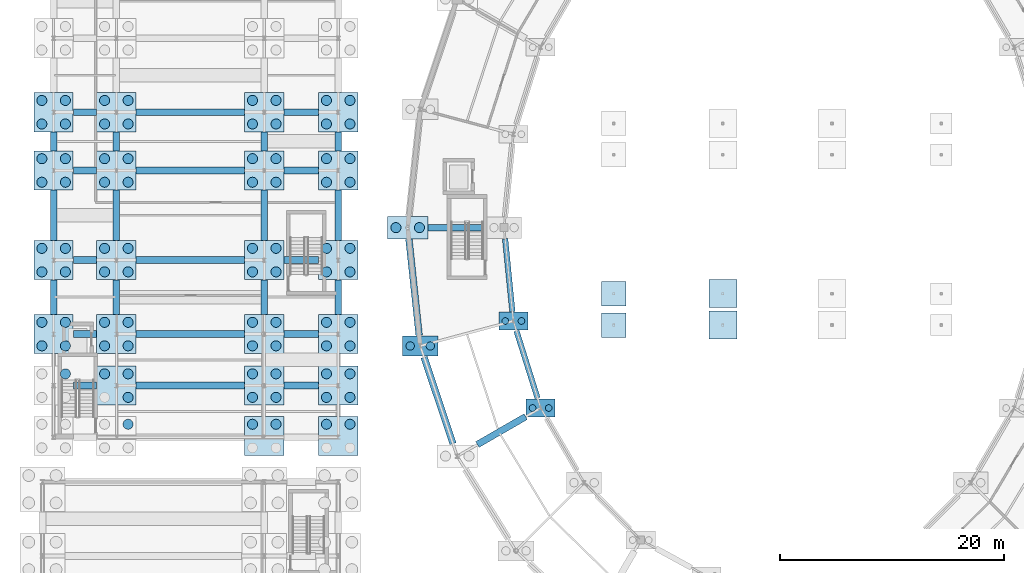
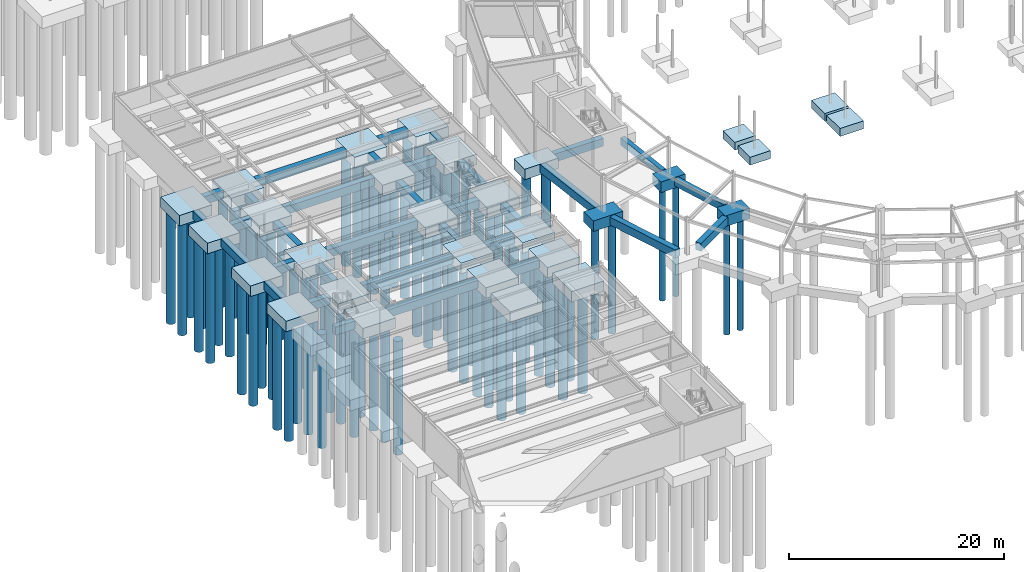
# One storey, part 2 of 58: 89 piles, 62 footings.
"""IFC4 building model written with IfcOpenShell, lengths in metres."""

import ifcopenshell
import ifcopenshell.guid

model = None  # the IFC model being written
_history = None  # IfcOwnerHistory: only IFC2X3 demands one
_inside = {}  # id of a spatial element -> (the spatial element, [elements in it])
_under = {}  # id of a project, library or spatial element -> (it, [spatial elements below it])
_declared = {}  # id of a project -> (the project, [libraries it declares])
_typed = {}  # id of a type object -> (the type object, [elements of that type])
_made_of = {}  # id of a material, layer set ... -> (it, [elements and type objects made of it])


def new_model(schema):
    """Start an empty IFC model of exactly this schema.

    Asked for "IFC4X3", IfcOpenShell would pick the latest addendum, in which some entities
    have other attributes; the version numbers below select the first issue.
    IFC2X3 requires an IfcOwnerHistory on every rooted entity: one is made here for all.
    """
    global model, _history
    if schema == "IFC4X3":
        model = ifcopenshell.file(schema_version=(4, 3, 0, 0))
    else:
        model = ifcopenshell.file(schema=schema)
    _inside.clear()
    _under.clear()
    _declared.clear()
    _typed.clear()
    _made_of.clear()
    _history = None
    if model.schema == "IFC2X3":
        org = make("IfcOrganization", Name="unknown")
        user = make(
            "IfcPersonAndOrganization",
            ThePerson=make("IfcPerson", FamilyName="unknown"),
            TheOrganization=org,
        )
        app = make(
            "IfcApplication",
            ApplicationDeveloper=org,
            Version="unknown",
            ApplicationFullName="unknown",
            ApplicationIdentifier="unknown",
        )
        _history = make(
            "IfcOwnerHistory",
            OwningUser=user,
            OwningApplication=app,
            ChangeAction="ADDED",
            CreationDate=0,
        )
    return model


def make(cls, **values):
    """One entity of the class cls with the attributes given. An attribute that is None is left unset."""
    return model.create_entity(
        cls, **{name: value for name, value in values.items() if value is not None}
    )


def rooted(cls, **values):
    """An entity with a GlobalId (a new one), such as an element, a storey or a relation."""
    return make(cls, GlobalId=ifcopenshell.guid.new(), OwnerHistory=_history, **values)


def si_unit(unit_type, name, prefix=None):
    """IfcSIUnit, for example si_unit("LENGTHUNIT", "METRE", prefix="MILLI")."""
    return make("IfcSIUnit", UnitType=unit_type, Prefix=prefix, Name=name)


def assignment(units):
    """IfcUnitAssignment: the units of a project."""
    return None if units is None else make("IfcUnitAssignment", Units=units)


def point(xyz):
    """IfcCartesianPoint."""
    return None if xyz is None else make("IfcCartesianPoint", Coordinates=xyz)


def direction(xyz):
    """IfcDirection."""
    return None if xyz is None else make("IfcDirection", DirectionRatios=xyz)


def frame(location, z_axis=None, x_axis=None):
    """IfcAxis2Placement3D, a coordinate frame: its origin and axes. An axis left out is left unset."""
    return make(
        "IfcAxis2Placement3D",
        Location=point(location),
        Axis=direction(z_axis),
        RefDirection=direction(x_axis),
    )


def frame_2d(location, x_axis=None):
    """IfcAxis2Placement2D, a coordinate frame in the plane: its origin and x axis."""
    return make(
        "IfcAxis2Placement2D", Location=point(location), RefDirection=direction(x_axis)
    )


def origin():
    """The frame at (0, 0, 0) with its axes left unset."""
    return frame((0.0, 0.0, 0.0))


def origin_2d():
    """The frame at (0, 0) in the plane with its x axis left unset."""
    return frame_2d((0.0, 0.0))


def place(relative_to, where):
    """IfcLocalPlacement: puts the frame where relative to a parent placement (None: the world)."""
    return make(
        "IfcLocalPlacement", PlacementRelTo=relative_to, RelativePlacement=where
    )


def context(
    kind, dimensions, precision=None, world=None, true_north=None, identifier=None
):
    """IfcGeometricRepresentationContext, for example the 3D "Model" context."""
    return make(
        "IfcGeometricRepresentationContext",
        ContextIdentifier=identifier,
        ContextType=kind,
        CoordinateSpaceDimension=dimensions,
        Precision=precision,
        WorldCoordinateSystem=world,
        TrueNorth=true_north,
    )


def subcontext(parent, identifier, kind, view, scale=None):
    """IfcGeometricRepresentationSubContext, for example "Body" below "Model"."""
    return make(
        "IfcGeometricRepresentationSubContext",
        ContextIdentifier=identifier,
        ContextType=kind,
        ParentContext=parent,
        TargetScale=scale,
        TargetView=view,
    )


def project(units=None, contexts=None):
    """IfcProject with its units and contexts."""
    return rooted(
        "IfcProject",
        Name="project",
        RepresentationContexts=contexts,
        UnitsInContext=assignment(units),
    )


def spatial(cls, under=None, at=None, **own):
    """A site, building, storey or space (cls), placed at a placement, below another one or the project."""
    s = rooted(cls, ObjectPlacement=at, **own)
    if under is not None:
        _under.setdefault(under.id(), (under, []))[1].append(s)
    return s


def profile(cls, at=None, kind="AREA", **sizes):
    """A parametric profile (cls). Its sizes go by their IFC names, for example OverallWidth=200.0."""
    return make(cls, ProfileType=kind, Position=at, **sizes)


def rectangle(**sizes):
    """IfcRectangleProfileDef."""
    return profile("IfcRectangleProfileDef", **sizes)


def circle(**sizes):
    """IfcCircleProfileDef."""
    return profile("IfcCircleProfileDef", **sizes)


def extrude(swept, where, along, depth):
    """IfcExtrudedAreaSolid: the profile swept, set in the frame where, extruded along a direction by depth."""
    return make(
        "IfcExtrudedAreaSolid",
        SweptArea=swept,
        Position=where,
        ExtrudedDirection=direction(along),
        Depth=depth,
    )


def shape(context_of_items, identifier, shape_type, items):
    """IfcShapeRepresentation: the items that make up one representation, for example the "Body"."""
    return make(
        "IfcShapeRepresentation",
        ContextOfItems=context_of_items,
        RepresentationIdentifier=identifier,
        RepresentationType=shape_type,
        Items=items,
    )


def material(Name=None, Category=None):
    """IfcMaterial."""
    return make("IfcMaterial", Name=Name, Category=Category)


def material_profile(
    of_material, cross_section, Name=None, Category=None, Priority=None
):
    """IfcMaterialProfile: a cross section and its material."""
    return make(
        "IfcMaterialProfile",
        Name=Name,
        Material=of_material,
        Profile=cross_section,
        Priority=Priority,
        Category=Category,
    )


def profile_set(profiles, Name=None, composite=None):
    """IfcMaterialProfileSet."""
    return make(
        "IfcMaterialProfileSet",
        Name=Name,
        MaterialProfiles=profiles,
        CompositeProfile=composite,
    )


def made_of(thing, what):
    """Note that an element or type object is made of a material, layer set ...; save() writes the relation."""
    if what is not None:
        _made_of.setdefault(what.id(), (what, []))[1].append(thing)
    return thing


def type_object(cls, material=None, **own):
    """A type object (cls), such as IfcWallType, which elements share."""
    return made_of(rooted(cls, **own), material)


def element(
    cls,
    number,
    at=None,
    inside=None,
    cuts=None,
    type_object=None,
    material=None,
    context=None,
    identifier="Body",
    shape_type=None,
    held_by="IfcProductDefinitionShape",
    body=None,
    shapes=None,
    **own,
):
    """One element of the class cls, such as IfcWall. Its Tag is "e" and its number.

    at: its placement. inside: the storey or other place that contains it. cuts: it is an
    opening in that element (IfcRelVoidsElement). A single representation is given by context,
    identifier, shape_type and body (its items); several are given by shapes. held_by: the class
    of the entity that holds the representations. save() writes the other relations.
    """
    e = rooted(cls, Tag="e%d" % number, ObjectPlacement=at, **own)
    if body is not None:
        shapes = [shape(context, identifier, shape_type, body)]
    if shapes is not None:
        e.Representation = make(held_by, Representations=shapes)
    if inside is not None:
        _inside.setdefault(inside.id(), (inside, []))[1].append(e)
    if cuts is not None:
        rooted(
            "IfcRelVoidsElement", RelatingBuildingElement=cuts, RelatedOpeningElement=e
        )
    if type_object is not None:
        _typed.setdefault(type_object.id(), (type_object, []))[1].append(e)
    return made_of(e, material)


def aggregate(whole, parts):
    """IfcRelAggregates: a whole, such as a stair, and the parts it consists of."""
    return rooted("IfcRelAggregates", RelatingObject=whole, RelatedObjects=parts)


def save(model, path):
    """Write the relations noted so far, then the file.

    IfcRelAggregates (storeys below a building ...), IfcRelContainedInSpatialStructure (elements
    in a storey), IfcRelDefinesByType, IfcRelAssociatesMaterial and IfcRelDeclares: one each for
    every whole, place, type object, material and project.
    """
    for whole, parts in _under.values():
        aggregate(whole, parts)
    for where, things in _inside.values():
        rooted(
            "IfcRelContainedInSpatialStructure",
            RelatedElements=things,
            RelatingStructure=where,
        )
    for kind, things in _typed.values():
        rooted("IfcRelDefinesByType", RelatedObjects=things, RelatingType=kind)
    for what, things in _made_of.values():
        rooted("IfcRelAssociatesMaterial", RelatedObjects=things, RelatingMaterial=what)
    for by, libraries in _declared.values():
        rooted("IfcRelDeclares", RelatingContext=by, RelatedDefinitions=libraries)
    model.write(path)


model = new_model("IFC4")

# Units and contexts
model_context = context("Model", 3, precision=1e-05, world=origin(), true_north=direction((0.0, 1.0)))
body_context = subcontext(model_context, "Body", "Model", "MODEL_VIEW")
ifc_project = project(units=[si_unit("LENGTHUNIT", "METRE"), si_unit("AREAUNIT", "SQUARE_METRE"), si_unit("VOLUMEUNIT", "CUBIC_METRE"), si_unit("PLANEANGLEUNIT", "RADIAN"), si_unit("MASSUNIT", "GRAM", prefix="KILO")], contexts=[model_context])

# Site, building, storey
site_placement = place(None, origin())
site = spatial("IfcSite", under=ifc_project, at=site_placement, CompositionType="ELEMENT")
building_placement = place(site_placement, origin())
building = spatial("IfcBuilding", under=site, at=building_placement, Name="Karori Crest Natural Sciences Institute", CompositionType="ELEMENT")
storey_placement = place(building_placement, frame((0.0, 0.0, -4.199951171875)))
storey = spatial("IfcBuildingStorey", under=building, at=storey_placement, Name="B1", CompositionType="ELEMENT", Elevation=-4.199951171875)

# Footings
ifc_material = material(Name="Concrete 40 MPa", Category="concrete")
footing_type_1 = type_object("IfcFootingType", Name="FT-02", PredefinedType="PILE_CAP", material=ifc_material)
for number, where, z_axis, x_axis, name in (
    (1, (42.831298828125, 41.56591796875, -1.2001953125), (0.0, 0.0, 1.0), (1.0, 0.0, 0.0), "Pile cap PC-0028"),
    (2, (45.26904296875, 33.800048828125, -1.2001953125), (0.0, 0.0, 1.0), (1.0, 0.0, 0.0), "Pile cap PC-0030"),
):
    element("IfcFooting", number, at=place(storey_placement, frame(where, z_axis=z_axis, x_axis=x_axis)), inside=storey, type_object=footing_type_1, Name=name, PredefinedType="PILE_CAP", context=body_context, shape_type="SweptSolid", body=[
        extrude(rectangle(XDim=2.60009765625, YDim=1.60009765625, at=origin_2d()), origin(), (0.0, 0.0, 1.0), 1.199951171875),
    ])
footing_type_2 = type_object("IfcFootingType", Name="FT-04", PredefinedType="PILE_CAP", material=ifc_material)
for number, where, z_axis, x_axis, name in (
    (3, (1.800048828125, 40.39990234375, -1.2001953125), (0.0, 0.0, 1.0), (1.0, 0.0, 0.0), "Pile cap PC-0082"),
    (4, (1.800048828125, 47.0, -1.2001953125), (0.0, 0.0, 1.0), (1.0, 0.0, 0.0), "Pile cap PC-0083"),
    (5, (1.800048828125, 55.0, -1.2001953125), (0.0, 0.0, 1.0), (1.0, 0.0, 0.0), "Pile cap PC-0084"),
    (6, (1.800048828125, 60.199951171875, -1.2001953125), (0.0, 0.0, 1.0), (1.0, 0.0, 0.0), "Pile cap PC-0085"),
    (7, (7.39990234375, 35.800048828125, -1.2001953125), (0.0, 0.0, 1.0), (1.0, 0.0, 0.0), "Pile cap PC-0089"),
    (8, (7.39990234375, 40.39990234375, -1.2001953125), (0.0, 0.0, 1.0), (1.0, 0.0, 0.0), "Pile cap PC-0090"),
    (9, (7.39990234375, 47.0, -1.2001953125), (0.0, 0.0, 1.0), (1.0, 0.0, 0.0), "Pile cap PC-0091"),
    (10, (7.39990234375, 55.0, -1.2001953125), (0.0, 0.0, 1.0), (1.0, 0.0, 0.0), "Pile cap PC-0092"),
    (11, (7.39990234375, 60.199951171875, -1.2001953125), (0.0, 0.0, 1.0), (1.0, 0.0, 0.0), "Pile cap PC-0093"),
    (12, (20.60009765625, 31.300048828125, -1.2001953125), (0.0, 0.0, 1.0), (1.0, 0.0, 0.0), "Pile cap PC-0096"),
    (13, (20.60009765625, 35.800048828125, -1.2001953125), (0.0, 0.0, 1.0), (1.0, 0.0, 0.0), "Pile cap PC-0097"),
    (14, (20.60009765625, 40.39990234375, -1.2001953125), (0.0, 0.0, 1.0), (1.0, 0.0, 0.0), "Pile cap PC-0098"),
    (15, (20.60009765625, 47.0, -1.2001953125), (0.0, 0.0, 1.0), (1.0, 0.0, 0.0), "Pile cap PC-0099"),
    (16, (20.60009765625, 55.0, -1.2001953125), (0.0, 0.0, 1.0), (1.0, 0.0, 0.0), "Pile cap PC-0100"),
    (17, (20.60009765625, 60.199951171875, -1.2001953125), (0.0, 0.0, 1.0), (1.0, 0.0, 0.0), "Pile cap PC-0101"),
    (18, (27.199951171875, 31.300048828125, -1.2001953125), (0.0, 0.0, 1.0), (1.0, 0.0, 0.0), "Pile cap PC-0104"),
    (19, (27.199951171875, 35.800048828125, -1.2001953125), (0.0, 0.0, 1.0), (1.0, 0.0, 0.0), "Pile cap PC-0105"),
    (20, (27.199951171875, 40.39990234375, -1.2001953125), (0.0, 0.0, 1.0), (1.0, 0.0, 0.0), "Pile cap PC-0106"),
    (21, (27.199951171875, 47.0, -1.2001953125), (0.0, 0.0, 1.0), (1.0, 0.0, 0.0), "Pile cap PC-0107"),
    (22, (27.199951171875, 55.0, -1.2001953125), (0.0, 0.0, 1.0), (1.0, 0.0, 0.0), "Pile cap PC-0108"),
    (23, (27.199951171875, 60.199951171875, -1.2001953125), (0.0, 0.0, 1.0), (1.0, 0.0, 0.0), "Pile cap PC-0109"),
):
    element("IfcFooting", number, at=place(storey_placement, frame(where, z_axis=z_axis, x_axis=x_axis)), inside=storey, type_object=footing_type_2, Name=name, PredefinedType="PILE_CAP", context=body_context, shape_type="SweptSolid", body=[
        extrude(rectangle(XDim=3.5, YDim=3.5, at=origin_2d()), origin(), (0.0, 0.0, 1.0), 1.199951171875),
    ])
footing_type_3 = type_object("IfcFootingType", Name="FT-07", PredefinedType="PILE_CAP", material=ifc_material)
footing_1_placement = place(storey_placement, frame((34.5244140625, 39.340087890625, -1.2001953125), z_axis=(0.0, 0.0, 1.0), x_axis=(1.0, 0.0, 0.0)))
element("IfcFooting", 24, at=footing_1_placement, inside=storey, type_object=footing_type_3, Name="Pile cap PC-0027", PredefinedType="PILE_CAP", context=body_context, shape_type="SweptSolid", body=[
    extrude(rectangle(XDim=3.199951171875, YDim=1.800048828125, at=origin_2d()), origin(), (0.0, 0.0, 1.0), 1.199951171875),
])
footing_type_4 = type_object("IfcFootingType", Name="FT-08", PredefinedType="PILE_CAP", material=ifc_material)
footing_2_placement = place(storey_placement, frame((33.39990234375, 49.89990234375, -1.2001953125), z_axis=(0.0, 0.0, 1.0), x_axis=(1.0, 0.0, 0.0)))
element("IfcFooting", 25, at=footing_2_placement, inside=storey, type_object=footing_type_4, Name="Pile cap PC-0025", PredefinedType="PILE_CAP", context=body_context, shape_type="SweptSolid", body=[
    extrude(rectangle(XDim=3.60009765625, YDim=2.0, at=origin_2d()), origin(), (0.0, 0.0, 1.0), 1.199951171875),
])
footing_type_5 = type_object("IfcFootingType", Name="FT-13", PredefinedType="PAD_FOOTING", material=ifc_material)
for number, where, z_axis, x_axis, name in (
    (26, (51.7900390625, 41.199951171875, -0.89990234375), (0.0, 0.0, 1.0), (1.0, 0.0, 0.0), "Pad footing PC-0049"),
    (27, (51.7900390625, 44.0, -0.89990234375), (0.0, 0.0, 1.0), (1.0, 0.0, 0.0), "Pad footing PC-0050"),
):
    element("IfcFooting", number, at=place(storey_placement, frame(where, z_axis=z_axis, x_axis=x_axis)), inside=storey, type_object=footing_type_5, Name=name, PredefinedType="PAD_FOOTING", context=body_context, shape_type="SweptSolid", body=[
        extrude(rectangle(XDim=2.199951171875, YDim=2.199951171875, at=origin_2d()), origin(), (0.0, 0.0, 1.0), 0.89990234375),
    ])
footing_type_6 = type_object("IfcFootingType", Name="FT-14", PredefinedType="PAD_FOOTING", material=ifc_material)
for number, where, z_axis, x_axis, name in (
    (28, (61.530029296875, 41.199951171875, -0.89990234375), (0.0, 0.0, 1.0), (1.0, 0.0, 0.0), "Pad footing PC-0051"),
    (29, (61.530029296875, 44.0, -0.89990234375), (0.0, 0.0, 1.0), (1.0, 0.0, 0.0), "Pad footing PC-0052"),
):
    element("IfcFooting", number, at=place(storey_placement, frame(where, z_axis=z_axis, x_axis=x_axis)), inside=storey, type_object=footing_type_6, Name=name, PredefinedType="PAD_FOOTING", context=body_context, shape_type="SweptSolid", body=[
        extrude(rectangle(XDim=2.5, YDim=2.5, at=origin_2d()), origin(), (0.0, 0.0, 1.0), 0.89990234375),
    ])
footing_type_7 = type_object("IfcFootingType", Name="FT-16", PredefinedType="FOOTING_BEAM", material=ifc_material)
footing_3_placement = place(storey_placement, frame((33.967529296875, 44.570068359375, -0.89990234375), z_axis=(0.0, 0.0, 1.0), x_axis=(-0.105880529632, 0.994378858104, 0.0)))
element("IfcFooting", 30, at=footing_3_placement, inside=storey, type_object=footing_type_7, Name="Ground beam FB-0031", PredefinedType="FOOTING_BEAM", context=body_context, shape_type="SweptSolid", body=[
    extrude(rectangle(XDim=8.61279296875, YDim=0.60009765625, at=origin_2d()), origin(), (0.0, 0.0, 1.0), 0.89990234375),
])
footing_4_placement = place(storey_placement, frame((37.824951171875, 49.89990234375, -0.89990234375), z_axis=(0.0, 0.0, 1.0), x_axis=(1.0, 0.0, 0.0)))
element("IfcFooting", 31, at=footing_4_placement, inside=storey, type_object=footing_type_7, Name="Ground beam FB-0033", PredefinedType="FOOTING_BEAM", context=body_context, shape_type="SweptSolid", body=[
    extrude(rectangle(XDim=5.23388671875, YDim=0.60009765625, at=origin_2d()), origin(), (0.0, 0.0, 1.0), 0.89990234375),
])
footing_5_placement = place(storey_placement, frame((36.156005859375, 34.47021484375, -0.89990234375), z_axis=(0.0, 0.0, 1.0), x_axis=(-0.317678692677, 0.948198422388, 0.0)))
element("IfcFooting", 32, at=footing_5_placement, inside=storey, type_object=footing_type_7, Name="Ground beam FB-0034", PredefinedType="FOOTING_BEAM", context=body_context, shape_type="SweptSolid", body=[
    extrude(rectangle(XDim=8.13720703125, YDim=0.60009765625, at=origin_2d()), origin(), (0.0, 0.0, 1.0), 0.89990234375),
])
footing_6_placement = place(storey_placement, frame((41.777099609375, 31.783935546875, -0.89990234375), z_axis=(0.0, 0.0, 1.0), x_axis=(0.866024531118, 0.500001511499, 0.0)))
element("IfcFooting", 33, at=footing_6_placement, inside=storey, type_object=footing_type_7, Name="Ground beam FB-0038", PredefinedType="FOOTING_BEAM", context=body_context, shape_type="SweptSolid", body=[
    extrude(rectangle(XDim=4.983642578125, YDim=0.60009765625, at=origin_2d()), origin(), (0.0, 0.0, 1.0), 0.89990234375),
])
for number, where, z_axis, x_axis, name in (
    (34, (4.60009765625, 35.800048828125, -0.89990234375), (0.0, 0.0, 1.0), (1.0, 0.0, 0.0), "Ground beam FB-0084"),
    (35, (4.60009765625, 40.39990234375, -0.89990234375), (0.0, 0.0, 1.0), (1.0, 0.0, 0.0), "Ground beam FB-0085"),
):
    element("IfcFooting", number, at=place(storey_placement, frame(where, z_axis=z_axis, x_axis=x_axis)), inside=storey, type_object=footing_type_7, Name=name, PredefinedType="FOOTING_BEAM", context=body_context, shape_type="SweptSolid", body=[
        extrude(rectangle(XDim=2.083984375, YDim=0.60009765625, at=origin_2d()), origin(), (0.0, 0.0, 1.0), 0.89990234375),
    ])
footing_7_placement = place(storey_placement, frame((1.800048828125, 43.699951171875, -0.89990234375), z_axis=(0.0, 0.0, 1.0), x_axis=(0.0, 1.0, 0.0)))
element("IfcFooting", 36, at=footing_7_placement, inside=storey, type_object=footing_type_7, Name="Ground beam FB-0086", PredefinedType="FOOTING_BEAM", context=body_context, shape_type="SweptSolid", body=[
    extrude(rectangle(XDim=3.083984375, YDim=0.60009765625, at=origin_2d()), origin(), (0.0, 0.0, 1.0), 0.89990234375),
])
footing_8_placement = place(storey_placement, frame((4.60009765625, 47.0, -0.89990234375), z_axis=(0.0, 0.0, 1.0), x_axis=(1.0, 0.0, 0.0)))
element("IfcFooting", 37, at=footing_8_placement, inside=storey, type_object=footing_type_7, Name="Ground beam FB-0087", PredefinedType="FOOTING_BEAM", context=body_context, shape_type="SweptSolid", body=[
    extrude(rectangle(XDim=2.083984375, YDim=0.60009765625, at=origin_2d()), origin(), (0.0, 0.0, 1.0), 0.89990234375),
])
footing_9_placement = place(storey_placement, frame((1.800048828125, 51.0, -0.89990234375), z_axis=(0.0, 0.0, 1.0), x_axis=(0.0, 1.0, 0.0)))
element("IfcFooting", 38, at=footing_9_placement, inside=storey, type_object=footing_type_7, Name="Ground beam FB-0088", PredefinedType="FOOTING_BEAM", context=body_context, shape_type="SweptSolid", body=[
    extrude(rectangle(XDim=4.48388671875, YDim=0.60009765625, at=origin_2d()), origin(), (0.0, 0.0, 1.0), 0.89990234375),
])
footing_10_placement = place(storey_placement, frame((4.60009765625, 55.0, -0.89990234375), z_axis=(0.0, 0.0, 1.0), x_axis=(1.0, 0.0, 0.0)))
element("IfcFooting", 39, at=footing_10_placement, inside=storey, type_object=footing_type_7, Name="Ground beam FB-0089", PredefinedType="FOOTING_BEAM", context=body_context, shape_type="SweptSolid", body=[
    extrude(rectangle(XDim=2.083984375, YDim=0.60009765625, at=origin_2d()), origin(), (0.0, 0.0, 1.0), 0.89990234375),
])
footing_11_placement = place(storey_placement, frame((1.800048828125, 57.60009765625, -0.89990234375), z_axis=(0.0, 0.0, 1.0), x_axis=(0.0, 1.0, 0.0)))
element("IfcFooting", 40, at=footing_11_placement, inside=storey, type_object=footing_type_7, Name="Ground beam FB-0090", PredefinedType="FOOTING_BEAM", context=body_context, shape_type="SweptSolid", body=[
    extrude(rectangle(XDim=1.68408203125, YDim=0.60009765625, at=origin_2d()), origin(), (0.0, 0.0, 1.0), 0.89990234375),
])
footing_12_placement = place(storey_placement, frame((4.60009765625, 60.199951171875, -0.89990234375), z_axis=(0.0, 0.0, 1.0), x_axis=(1.0, 0.0, 0.0)))
element("IfcFooting", 41, at=footing_12_placement, inside=storey, type_object=footing_type_7, Name="Ground beam FB-0091", PredefinedType="FOOTING_BEAM", context=body_context, shape_type="SweptSolid", body=[
    extrude(rectangle(XDim=2.083984375, YDim=0.60009765625, at=origin_2d()), origin(), (0.0, 0.0, 1.0), 0.89990234375),
])
for number, where, z_axis, x_axis, name in (
    (42, (14.0, 35.800048828125, -0.89990234375), (0.0, 0.0, 1.0), (1.0, 0.0, 0.0), "Ground beam FB-0097"),
    (43, (14.0, 40.39990234375, -0.89990234375), (0.0, 0.0, 1.0), (1.0, 0.0, 0.0), "Ground beam FB-0098"),
):
    element("IfcFooting", number, at=place(storey_placement, frame(where, z_axis=z_axis, x_axis=x_axis)), inside=storey, type_object=footing_type_7, Name=name, PredefinedType="FOOTING_BEAM", context=body_context, shape_type="SweptSolid", body=[
        extrude(rectangle(XDim=9.6640625, YDim=0.60009765625, at=origin_2d()), origin(), (0.0, 0.0, 1.0), 0.89990234375),
    ])
footing_13_placement = place(storey_placement, frame((7.39990234375, 43.699951171875, -0.89990234375), z_axis=(0.0, 0.0, 1.0), x_axis=(0.0, 1.0, 0.0)))
element("IfcFooting", 44, at=footing_13_placement, inside=storey, type_object=footing_type_7, Name="Ground beam FB-0099", PredefinedType="FOOTING_BEAM", context=body_context, shape_type="SweptSolid", body=[
    extrude(rectangle(XDim=3.083984375, YDim=0.60009765625, at=origin_2d()), origin(), (0.0, 0.0, 1.0), 0.89990234375),
])
footing_14_placement = place(storey_placement, frame((14.0, 47.0, -0.89990234375), z_axis=(0.0, 0.0, 1.0), x_axis=(1.0, 0.0, 0.0)))
element("IfcFooting", 45, at=footing_14_placement, inside=storey, type_object=footing_type_7, Name="Ground beam FB-0100", PredefinedType="FOOTING_BEAM", context=body_context, shape_type="SweptSolid", body=[
    extrude(rectangle(XDim=9.6640625, YDim=0.60009765625, at=origin_2d()), origin(), (0.0, 0.0, 1.0), 0.89990234375),
])
footing_15_placement = place(storey_placement, frame((7.39990234375, 51.0, -0.89990234375), z_axis=(0.0, 0.0, 1.0), x_axis=(0.0, 1.0, 0.0)))
element("IfcFooting", 46, at=footing_15_placement, inside=storey, type_object=footing_type_7, Name="Ground beam FB-0101", PredefinedType="FOOTING_BEAM", context=body_context, shape_type="SweptSolid", body=[
    extrude(rectangle(XDim=4.48388671875, YDim=0.60009765625, at=origin_2d()), origin(), (0.0, 0.0, 1.0), 0.89990234375),
])
footing_16_placement = place(storey_placement, frame((14.0, 55.0, -0.89990234375), z_axis=(0.0, 0.0, 1.0), x_axis=(1.0, 0.0, 0.0)))
element("IfcFooting", 47, at=footing_16_placement, inside=storey, type_object=footing_type_7, Name="Ground beam FB-0102", PredefinedType="FOOTING_BEAM", context=body_context, shape_type="SweptSolid", body=[
    extrude(rectangle(XDim=9.6640625, YDim=0.60009765625, at=origin_2d()), origin(), (0.0, 0.0, 1.0), 0.89990234375),
])
footing_17_placement = place(storey_placement, frame((7.39990234375, 57.60009765625, -0.89990234375), z_axis=(0.0, 0.0, 1.0), x_axis=(0.0, 1.0, 0.0)))
element("IfcFooting", 48, at=footing_17_placement, inside=storey, type_object=footing_type_7, Name="Ground beam FB-0103", PredefinedType="FOOTING_BEAM", context=body_context, shape_type="SweptSolid", body=[
    extrude(rectangle(XDim=1.68408203125, YDim=0.60009765625, at=origin_2d()), origin(), (0.0, 0.0, 1.0), 0.89990234375),
])
footing_18_placement = place(storey_placement, frame((14.0, 60.199951171875, -0.89990234375), z_axis=(0.0, 0.0, 1.0), x_axis=(1.0, 0.0, 0.0)))
element("IfcFooting", 49, at=footing_18_placement, inside=storey, type_object=footing_type_7, Name="Ground beam FB-0104", PredefinedType="FOOTING_BEAM", context=body_context, shape_type="SweptSolid", body=[
    extrude(rectangle(XDim=9.6640625, YDim=0.60009765625, at=origin_2d()), origin(), (0.0, 0.0, 1.0), 0.89990234375),
])
for number, where, z_axis, x_axis, name in (
    (50, (23.89990234375, 35.800048828125, -0.89990234375), (0.0, 0.0, 1.0), (1.0, 0.0, 0.0), "Ground beam FB-0110"),
    (51, (23.89990234375, 40.39990234375, -0.89990234375), (0.0, 0.0, 1.0), (1.0, 0.0, 0.0), "Ground beam FB-0111"),
):
    element("IfcFooting", number, at=place(storey_placement, frame(where, z_axis=z_axis, x_axis=x_axis)), inside=storey, type_object=footing_type_7, Name=name, PredefinedType="FOOTING_BEAM", context=body_context, shape_type="SweptSolid", body=[
        extrude(rectangle(XDim=3.06396484375, YDim=0.60009765625, at=origin_2d()), origin(), (0.0, 0.0, 1.0), 0.89990234375),
    ])
footing_19_placement = place(storey_placement, frame((20.60009765625, 43.699951171875, -0.89990234375), z_axis=(0.0, 0.0, 1.0), x_axis=(0.0, 1.0, 0.0)))
element("IfcFooting", 52, at=footing_19_placement, inside=storey, type_object=footing_type_7, Name="Ground beam FB-0112", PredefinedType="FOOTING_BEAM", context=body_context, shape_type="SweptSolid", body=[
    extrude(rectangle(XDim=3.083984375, YDim=0.60009765625, at=origin_2d()), origin(), (0.0, 0.0, 1.0), 0.89990234375),
])
footing_20_placement = place(storey_placement, frame((23.89990234375, 47.0, -0.89990234375), z_axis=(0.0, 0.0, 1.0), x_axis=(1.0, 0.0, 0.0)))
element("IfcFooting", 53, at=footing_20_placement, inside=storey, type_object=footing_type_7, Name="Ground beam FB-0113", PredefinedType="FOOTING_BEAM", context=body_context, shape_type="SweptSolid", body=[
    extrude(rectangle(XDim=3.06396484375, YDim=0.60009765625, at=origin_2d()), origin(), (0.0, 0.0, 1.0), 0.89990234375),
])
footing_21_placement = place(storey_placement, frame((20.60009765625, 51.0, -0.89990234375), z_axis=(0.0, 0.0, 1.0), x_axis=(0.0, 1.0, 0.0)))
element("IfcFooting", 54, at=footing_21_placement, inside=storey, type_object=footing_type_7, Name="Ground beam FB-0114", PredefinedType="FOOTING_BEAM", context=body_context, shape_type="SweptSolid", body=[
    extrude(rectangle(XDim=4.48388671875, YDim=0.60009765625, at=origin_2d()), origin(), (0.0, 0.0, 1.0), 0.89990234375),
])
footing_22_placement = place(storey_placement, frame((23.89990234375, 55.0, -0.89990234375), z_axis=(0.0, 0.0, 1.0), x_axis=(1.0, 0.0, 0.0)))
element("IfcFooting", 55, at=footing_22_placement, inside=storey, type_object=footing_type_7, Name="Ground beam FB-0115", PredefinedType="FOOTING_BEAM", context=body_context, shape_type="SweptSolid", body=[
    extrude(rectangle(XDim=3.06396484375, YDim=0.60009765625, at=origin_2d()), origin(), (0.0, 0.0, 1.0), 0.89990234375),
])
footing_23_placement = place(storey_placement, frame((20.60009765625, 57.60009765625, -0.89990234375), z_axis=(0.0, 0.0, 1.0), x_axis=(0.0, 1.0, 0.0)))
element("IfcFooting", 56, at=footing_23_placement, inside=storey, type_object=footing_type_7, Name="Ground beam FB-0116", PredefinedType="FOOTING_BEAM", context=body_context, shape_type="SweptSolid", body=[
    extrude(rectangle(XDim=1.68408203125, YDim=0.60009765625, at=origin_2d()), origin(), (0.0, 0.0, 1.0), 0.89990234375),
])
footing_24_placement = place(storey_placement, frame((23.89990234375, 60.199951171875, -0.89990234375), z_axis=(0.0, 0.0, 1.0), x_axis=(1.0, 0.0, 0.0)))
element("IfcFooting", 57, at=footing_24_placement, inside=storey, type_object=footing_type_7, Name="Ground beam FB-0117", PredefinedType="FOOTING_BEAM", context=body_context, shape_type="SweptSolid", body=[
    extrude(rectangle(XDim=3.06396484375, YDim=0.60009765625, at=origin_2d()), origin(), (0.0, 0.0, 1.0), 0.89990234375),
])
footing_25_placement = place(storey_placement, frame((27.199951171875, 43.699951171875, -0.89990234375), z_axis=(0.0, 0.0, 1.0), x_axis=(0.0, 1.0, 0.0)))
element("IfcFooting", 58, at=footing_25_placement, inside=storey, type_object=footing_type_7, Name="Ground beam FB-0122", PredefinedType="FOOTING_BEAM", context=body_context, shape_type="SweptSolid", body=[
    extrude(rectangle(XDim=3.083984375, YDim=0.60009765625, at=origin_2d()), origin(), (0.0, 0.0, 1.0), 0.89990234375),
])
footing_26_placement = place(storey_placement, frame((27.199951171875, 51.0, -0.89990234375), z_axis=(0.0, 0.0, 1.0), x_axis=(0.0, 1.0, 0.0)))
element("IfcFooting", 59, at=footing_26_placement, inside=storey, type_object=footing_type_7, Name="Ground beam FB-0123", PredefinedType="FOOTING_BEAM", context=body_context, shape_type="SweptSolid", body=[
    extrude(rectangle(XDim=4.48388671875, YDim=0.60009765625, at=origin_2d()), origin(), (0.0, 0.0, 1.0), 0.89990234375),
])
footing_27_placement = place(storey_placement, frame((27.199951171875, 57.60009765625, -0.89990234375), z_axis=(0.0, 0.0, 1.0), x_axis=(0.0, 1.0, 0.0)))
element("IfcFooting", 60, at=footing_27_placement, inside=storey, type_object=footing_type_7, Name="Ground beam FB-0124", PredefinedType="FOOTING_BEAM", context=body_context, shape_type="SweptSolid", body=[
    extrude(rectangle(XDim=1.68408203125, YDim=0.60009765625, at=origin_2d()), origin(), (0.0, 0.0, 1.0), 0.89990234375),
])
footing_type_8 = type_object("IfcFootingType", Name="FT-17", PredefinedType="FOOTING_BEAM", material=ifc_material)
footing_28_placement = place(storey_placement, frame((42.423095703125, 45.657958984375, -0.80029296875), z_axis=(0.0, 0.0, 1.0), x_axis=(-0.09926764862, 0.995060768967, 0.0)))
element("IfcFooting", 61, at=footing_28_placement, inside=storey, type_object=footing_type_8, Name="Ground beam FB-0032", PredefinedType="FOOTING_BEAM", context=body_context, shape_type="SweptSolid", body=[
    extrude(rectangle(XDim=6.54052734375, YDim=0.5, at=origin_2d()), origin(), (0.0, 0.0, 1.0), 0.800048828125),
])
footing_29_placement = place(storey_placement, frame((44.05029296875, 37.68310546875, -0.80029296875), z_axis=(0.0, 0.0, 1.0), x_axis=(-0.299475447203, 0.954104007183, 0.0)))
element("IfcFooting", 62, at=footing_29_placement, inside=storey, type_object=footing_type_8, Name="Ground beam FB-0035", PredefinedType="FOOTING_BEAM", context=body_context, shape_type="SweptSolid", body=[
    extrude(rectangle(XDim=6.285888671875, YDim=0.5, at=origin_2d()), origin(), (0.0, 0.0, 1.0), 0.800048828125),
])

# Piles
ifc_material_profile_1 = material_profile(ifc_material, circle(Radius=0.300048828125, at=origin_2d()), Name="PILE600")
ifc_profile_set_1 = profile_set([ifc_material_profile_1], Name="Concrete 40 MPa")
pile_type_1 = type_object("IfcPileType", Name="PT-01", PredefinedType="BORED", material=ifc_profile_set_1)
for number, where, z_axis, x_axis, name in (
    (63, (42.111328125, 41.56591796875, -1.10009765625), (0.0, 0.0, -1.0), (1.0, 0.0, 0.0), "Bored pile PL-0055"),
    (64, (43.551513671875, 41.56591796875, -1.10009765625), (0.0, 0.0, -1.0), (1.0, 0.0, 0.0), "Bored pile PL-0056"),
    (65, (44.549072265625, 33.800048828125, -1.10009765625), (0.0, 0.0, -1.0), (1.0, 0.0, 0.0), "Bored pile PL-0059"),
    (66, (45.989013671875, 33.800048828125, -1.10009765625), (0.0, 0.0, -1.0), (1.0, 0.0, 0.0), "Bored pile PL-0060"),
):
    element("IfcPile", number, at=place(storey_placement, frame(where, z_axis=z_axis, x_axis=x_axis)), inside=storey, type_object=pile_type_1, Name=name, PredefinedType="BORED", context=body_context, shape_type="SweptSolid", body=[
        extrude(circle(Radius=0.300048828125, at=origin_2d()), origin(), (0.0, 0.0, 1.0), 12.89990234375),
    ])
ifc_material_profile_2 = material_profile(ifc_material, circle(Radius=0.375, at=origin_2d()), Name="PILE750")
ifc_profile_set_2 = profile_set([ifc_material_profile_2], Name="Concrete 40 MPa")
pile_type_2 = type_object("IfcPileType", Name="PT-02", PredefinedType="BORED", material=ifc_profile_set_2)
for number, where, z_axis, x_axis, name in (
    (67, (33.62451171875, 39.340087890625, -1.10009765625), (0.0, 0.0, -1.0), (1.0, 0.0, 0.0), "Bored pile PL-0053"),
    (68, (35.42431640625, 39.340087890625, -1.10009765625), (0.0, 0.0, -1.0), (1.0, 0.0, 0.0), "Bored pile PL-0054"),
):
    element("IfcPile", number, at=place(storey_placement, frame(where, z_axis=z_axis, x_axis=x_axis)), inside=storey, type_object=pile_type_2, Name=name, PredefinedType="BORED", context=body_context, shape_type="SweptSolid", body=[
        extrude(circle(Radius=0.375, at=origin_2d()), origin(), (0.0, 0.0, 1.0), 12.89990234375),
    ])
ifc_material_profile_3 = material_profile(ifc_material, circle(Radius=0.449951171875, at=origin_2d()), Name="PILE900")
ifc_profile_set_3 = profile_set([ifc_material_profile_3], Name="Concrete 40 MPa")
pile_type_3 = type_object("IfcPileType", Name="PT-03", PredefinedType="BORED", material=ifc_profile_set_3)
for number, where, z_axis, x_axis, name in (
    (69, (32.35009765625, 49.89990234375, -1.10009765625), (0.0, 0.0, -1.0), (1.0, 0.0, 0.0), "Bored pile PL-0049"),
    (70, (34.449951171875, 49.89990234375, -1.10009765625), (0.0, 0.0, -1.0), (1.0, 0.0, 0.0), "Bored pile PL-0050"),
    (71, (2.85009765625, 36.85009765625, -1.10009765625), (0.0, 0.0, -1.0), (1.0, 0.0, 0.0), "Bored pile PL-0164"),
    (72, (0.75, 39.35009765625, -1.10009765625), (0.0, 0.0, -1.0), (1.0, 0.0, 0.0), "Bored pile PL-0165"),
    (73, (2.85009765625, 39.35009765625, -1.10009765625), (0.0, 0.0, -1.0), (1.0, 0.0, 0.0), "Bored pile PL-0166"),
    (74, (0.75, 41.449951171875, -1.10009765625), (0.0, 0.0, -1.0), (1.0, 0.0, 0.0), "Bored pile PL-0167"),
    (75, (2.85009765625, 41.449951171875, -1.10009765625), (0.0, 0.0, -1.0), (1.0, 0.0, 0.0), "Bored pile PL-0168"),
    (76, (0.75, 45.949951171875, -1.10009765625), (0.0, 0.0, -1.0), (1.0, 0.0, 0.0), "Bored pile PL-0169"),
    (77, (2.85009765625, 45.949951171875, -1.10009765625), (0.0, 0.0, -1.0), (1.0, 0.0, 0.0), "Bored pile PL-0170"),
    (78, (0.75, 48.050048828125, -1.10009765625), (0.0, 0.0, -1.0), (1.0, 0.0, 0.0), "Bored pile PL-0171"),
    (79, (2.85009765625, 48.050048828125, -1.10009765625), (0.0, 0.0, -1.0), (1.0, 0.0, 0.0), "Bored pile PL-0172"),
    (80, (0.75, 53.949951171875, -1.10009765625), (0.0, 0.0, -1.0), (1.0, 0.0, 0.0), "Bored pile PL-0173"),
    (81, (2.85009765625, 53.949951171875, -1.10009765625), (0.0, 0.0, -1.0), (1.0, 0.0, 0.0), "Bored pile PL-0174"),
    (82, (0.75, 56.050048828125, -1.10009765625), (0.0, 0.0, -1.0), (1.0, 0.0, 0.0), "Bored pile PL-0175"),
    (83, (2.85009765625, 56.050048828125, -1.10009765625), (0.0, 0.0, -1.0), (1.0, 0.0, 0.0), "Bored pile PL-0176"),
    (84, (0.75, 59.14990234375, -1.10009765625), (0.0, 0.0, -1.0), (1.0, 0.0, 0.0), "Bored pile PL-0177"),
    (85, (2.85009765625, 59.14990234375, -1.10009765625), (0.0, 0.0, -1.0), (1.0, 0.0, 0.0), "Bored pile PL-0178"),
    (86, (0.75, 61.25, -1.10009765625), (0.0, 0.0, -1.0), (1.0, 0.0, 0.0), "Bored pile PL-0179"),
    (87, (2.85009765625, 61.25, -1.10009765625), (0.0, 0.0, -1.0), (1.0, 0.0, 0.0), "Bored pile PL-0180"),
    (88, (8.449951171875, 32.35009765625, -1.10009765625), (0.0, 0.0, -1.0), (1.0, 0.0, 0.0), "Bored pile PL-0192"),
    (89, (8.449951171875, 34.75, -1.10009765625), (0.0, 0.0, -1.0), (1.0, 0.0, 0.0), "Bored pile PL-0194"),
    (90, (6.35009765625, 36.85009765625, -1.10009765625), (0.0, 0.0, -1.0), (1.0, 0.0, 0.0), "Bored pile PL-0195"),
    (91, (8.449951171875, 36.85009765625, -1.10009765625), (0.0, 0.0, -1.0), (1.0, 0.0, 0.0), "Bored pile PL-0196"),
    (92, (6.35009765625, 39.35009765625, -1.10009765625), (0.0, 0.0, -1.0), (1.0, 0.0, 0.0), "Bored pile PL-0197"),
    (93, (8.449951171875, 39.35009765625, -1.10009765625), (0.0, 0.0, -1.0), (1.0, 0.0, 0.0), "Bored pile PL-0198"),
    (94, (6.35009765625, 41.449951171875, -1.10009765625), (0.0, 0.0, -1.0), (1.0, 0.0, 0.0), "Bored pile PL-0199"),
    (95, (8.449951171875, 41.449951171875, -1.10009765625), (0.0, 0.0, -1.0), (1.0, 0.0, 0.0), "Bored pile PL-0200"),
    (96, (6.35009765625, 45.949951171875, -1.10009765625), (0.0, 0.0, -1.0), (1.0, 0.0, 0.0), "Bored pile PL-0201"),
    (97, (8.449951171875, 45.949951171875, -1.10009765625), (0.0, 0.0, -1.0), (1.0, 0.0, 0.0), "Bored pile PL-0202"),
    (98, (6.35009765625, 48.050048828125, -1.10009765625), (0.0, 0.0, -1.0), (1.0, 0.0, 0.0), "Bored pile PL-0203"),
    (99, (8.449951171875, 48.050048828125, -1.10009765625), (0.0, 0.0, -1.0), (1.0, 0.0, 0.0), "Bored pile PL-0204"),
    (100, (6.35009765625, 53.949951171875, -1.10009765625), (0.0, 0.0, -1.0), (1.0, 0.0, 0.0), "Bored pile PL-0205"),
    (101, (8.449951171875, 53.949951171875, -1.10009765625), (0.0, 0.0, -1.0), (1.0, 0.0, 0.0), "Bored pile PL-0206"),
    (102, (6.35009765625, 56.050048828125, -1.10009765625), (0.0, 0.0, -1.0), (1.0, 0.0, 0.0), "Bored pile PL-0207"),
    (103, (8.449951171875, 56.050048828125, -1.10009765625), (0.0, 0.0, -1.0), (1.0, 0.0, 0.0), "Bored pile PL-0208"),
    (104, (6.35009765625, 59.14990234375, -1.10009765625), (0.0, 0.0, -1.0), (1.0, 0.0, 0.0), "Bored pile PL-0209"),
    (105, (8.449951171875, 59.14990234375, -1.10009765625), (0.0, 0.0, -1.0), (1.0, 0.0, 0.0), "Bored pile PL-0210"),
    (106, (6.35009765625, 61.25, -1.10009765625), (0.0, 0.0, -1.0), (1.0, 0.0, 0.0), "Bored pile PL-0211"),
    (107, (8.449951171875, 61.25, -1.10009765625), (0.0, 0.0, -1.0), (1.0, 0.0, 0.0), "Bored pile PL-0212"),
    (108, (19.550048828125, 32.35009765625, -1.10009765625), (0.0, 0.0, -1.0), (1.0, 0.0, 0.0), "Bored pile PL-0223"),
    (109, (21.64990234375, 32.35009765625, -1.10009765625), (0.0, 0.0, -1.0), (1.0, 0.0, 0.0), "Bored pile PL-0224"),
    (110, (19.550048828125, 34.75, -1.10009765625), (0.0, 0.0, -1.0), (1.0, 0.0, 0.0), "Bored pile PL-0225"),
    (111, (21.64990234375, 34.75, -1.10009765625), (0.0, 0.0, -1.0), (1.0, 0.0, 0.0), "Bored pile PL-0226"),
    (112, (19.550048828125, 36.85009765625, -1.10009765625), (0.0, 0.0, -1.0), (1.0, 0.0, 0.0), "Bored pile PL-0227"),
    (113, (21.64990234375, 36.85009765625, -1.10009765625), (0.0, 0.0, -1.0), (1.0, 0.0, 0.0), "Bored pile PL-0228"),
    (114, (19.550048828125, 39.35009765625, -1.10009765625), (0.0, 0.0, -1.0), (1.0, 0.0, 0.0), "Bored pile PL-0229"),
    (115, (21.64990234375, 39.35009765625, -1.10009765625), (0.0, 0.0, -1.0), (1.0, 0.0, 0.0), "Bored pile PL-0230"),
    (116, (19.550048828125, 41.449951171875, -1.10009765625), (0.0, 0.0, -1.0), (1.0, 0.0, 0.0), "Bored pile PL-0231"),
    (117, (21.64990234375, 41.449951171875, -1.10009765625), (0.0, 0.0, -1.0), (1.0, 0.0, 0.0), "Bored pile PL-0232"),
    (118, (19.550048828125, 45.949951171875, -1.10009765625), (0.0, 0.0, -1.0), (1.0, 0.0, 0.0), "Bored pile PL-0233"),
    (119, (21.64990234375, 45.949951171875, -1.10009765625), (0.0, 0.0, -1.0), (1.0, 0.0, 0.0), "Bored pile PL-0234"),
    (120, (19.550048828125, 48.050048828125, -1.10009765625), (0.0, 0.0, -1.0), (1.0, 0.0, 0.0), "Bored pile PL-0235"),
    (121, (21.64990234375, 48.050048828125, -1.10009765625), (0.0, 0.0, -1.0), (1.0, 0.0, 0.0), "Bored pile PL-0236"),
    (122, (19.550048828125, 53.949951171875, -1.10009765625), (0.0, 0.0, -1.0), (1.0, 0.0, 0.0), "Bored pile PL-0237"),
    (123, (21.64990234375, 53.949951171875, -1.10009765625), (0.0, 0.0, -1.0), (1.0, 0.0, 0.0), "Bored pile PL-0238"),
    (124, (19.550048828125, 56.050048828125, -1.10009765625), (0.0, 0.0, -1.0), (1.0, 0.0, 0.0), "Bored pile PL-0239"),
    (125, (21.64990234375, 56.050048828125, -1.10009765625), (0.0, 0.0, -1.0), (1.0, 0.0, 0.0), "Bored pile PL-0240"),
    (126, (19.550048828125, 59.14990234375, -1.10009765625), (0.0, 0.0, -1.0), (1.0, 0.0, 0.0), "Bored pile PL-0241"),
    (127, (21.64990234375, 59.14990234375, -1.10009765625), (0.0, 0.0, -1.0), (1.0, 0.0, 0.0), "Bored pile PL-0242"),
    (128, (19.550048828125, 61.25, -1.10009765625), (0.0, 0.0, -1.0), (1.0, 0.0, 0.0), "Bored pile PL-0243"),
    (129, (21.64990234375, 61.25, -1.10009765625), (0.0, 0.0, -1.0), (1.0, 0.0, 0.0), "Bored pile PL-0244"),
    (130, (26.14990234375, 32.35009765625, -1.10009765625), (0.0, 0.0, -1.0), (1.0, 0.0, 0.0), "Bored pile PL-0255"),
    (131, (28.25, 32.35009765625, -1.10009765625), (0.0, 0.0, -1.0), (1.0, 0.0, 0.0), "Bored pile PL-0256"),
    (132, (26.14990234375, 34.75, -1.10009765625), (0.0, 0.0, -1.0), (1.0, 0.0, 0.0), "Bored pile PL-0257"),
    (133, (28.25, 34.75, -1.10009765625), (0.0, 0.0, -1.0), (1.0, 0.0, 0.0), "Bored pile PL-0258"),
    (134, (26.14990234375, 36.85009765625, -1.10009765625), (0.0, 0.0, -1.0), (1.0, 0.0, 0.0), "Bored pile PL-0259"),
    (135, (28.25, 36.85009765625, -1.10009765625), (0.0, 0.0, -1.0), (1.0, 0.0, 0.0), "Bored pile PL-0260"),
    (136, (26.14990234375, 39.35009765625, -1.10009765625), (0.0, 0.0, -1.0), (1.0, 0.0, 0.0), "Bored pile PL-0261"),
    (137, (28.25, 39.35009765625, -1.10009765625), (0.0, 0.0, -1.0), (1.0, 0.0, 0.0), "Bored pile PL-0262"),
    (138, (26.14990234375, 41.449951171875, -1.10009765625), (0.0, 0.0, -1.0), (1.0, 0.0, 0.0), "Bored pile PL-0263"),
    (139, (28.25, 41.449951171875, -1.10009765625), (0.0, 0.0, -1.0), (1.0, 0.0, 0.0), "Bored pile PL-0264"),
    (140, (26.14990234375, 45.949951171875, -1.10009765625), (0.0, 0.0, -1.0), (1.0, 0.0, 0.0), "Bored pile PL-0265"),
    (141, (28.25, 45.949951171875, -1.10009765625), (0.0, 0.0, -1.0), (1.0, 0.0, 0.0), "Bored pile PL-0266"),
    (142, (26.14990234375, 48.050048828125, -1.10009765625), (0.0, 0.0, -1.0), (1.0, 0.0, 0.0), "Bored pile PL-0267"),
    (143, (28.25, 48.050048828125, -1.10009765625), (0.0, 0.0, -1.0), (1.0, 0.0, 0.0), "Bored pile PL-0268"),
    (144, (26.14990234375, 53.949951171875, -1.10009765625), (0.0, 0.0, -1.0), (1.0, 0.0, 0.0), "Bored pile PL-0269"),
    (145, (28.25, 53.949951171875, -1.10009765625), (0.0, 0.0, -1.0), (1.0, 0.0, 0.0), "Bored pile PL-0270"),
    (146, (26.14990234375, 56.050048828125, -1.10009765625), (0.0, 0.0, -1.0), (1.0, 0.0, 0.0), "Bored pile PL-0271"),
    (147, (28.25, 56.050048828125, -1.10009765625), (0.0, 0.0, -1.0), (1.0, 0.0, 0.0), "Bored pile PL-0272"),
    (148, (26.14990234375, 59.14990234375, -1.10009765625), (0.0, 0.0, -1.0), (1.0, 0.0, 0.0), "Bored pile PL-0273"),
    (149, (28.25, 59.14990234375, -1.10009765625), (0.0, 0.0, -1.0), (1.0, 0.0, 0.0), "Bored pile PL-0274"),
    (150, (26.14990234375, 61.25, -1.10009765625), (0.0, 0.0, -1.0), (1.0, 0.0, 0.0), "Bored pile PL-0275"),
    (151, (28.25, 61.25, -1.10009765625), (0.0, 0.0, -1.0), (1.0, 0.0, 0.0), "Bored pile PL-0276"),
):
    element("IfcPile", number, at=place(storey_placement, frame(where, z_axis=z_axis, x_axis=x_axis)), inside=storey, type_object=pile_type_3, Name=name, PredefinedType="BORED", context=body_context, shape_type="SweptSolid", body=[
        extrude(circle(Radius=0.449951171875, at=origin_2d()), origin(), (0.0, 0.0, 1.0), 12.89990234375),
    ])

save(model, "model.ifc")
